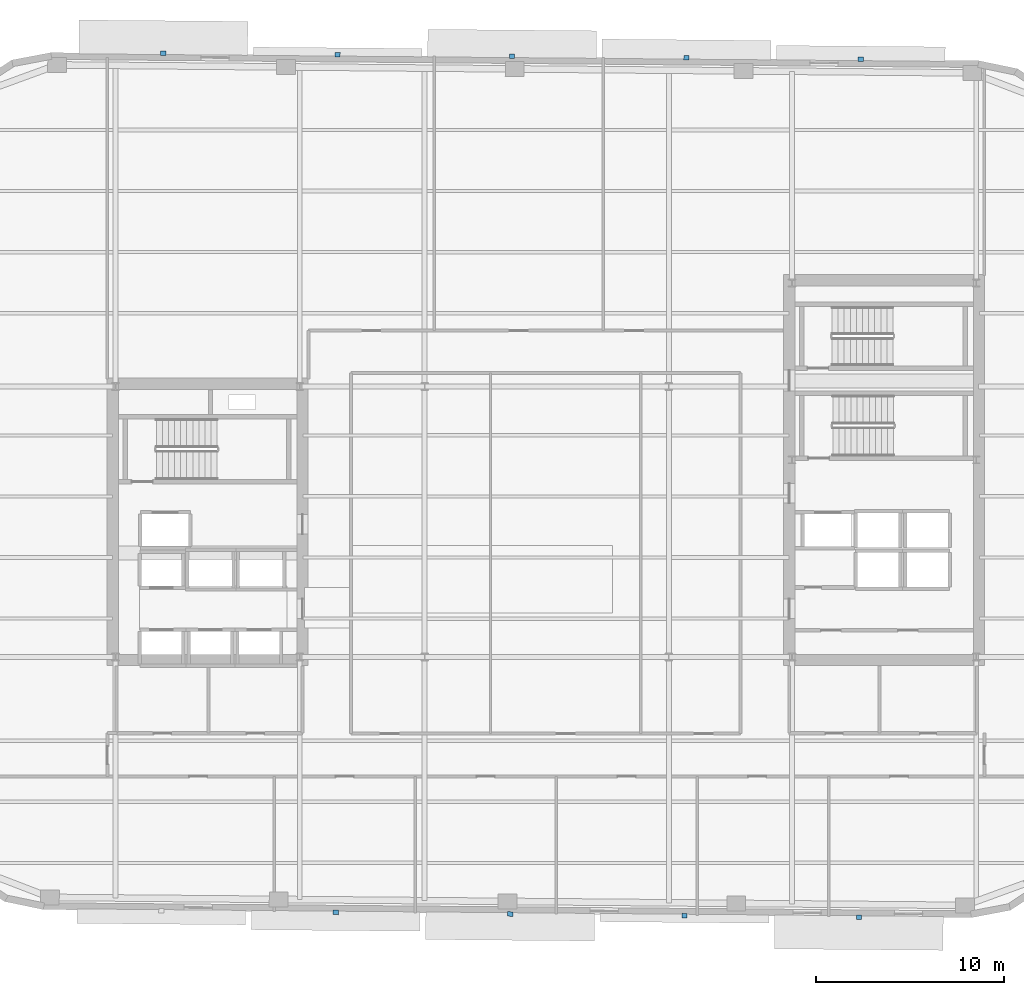
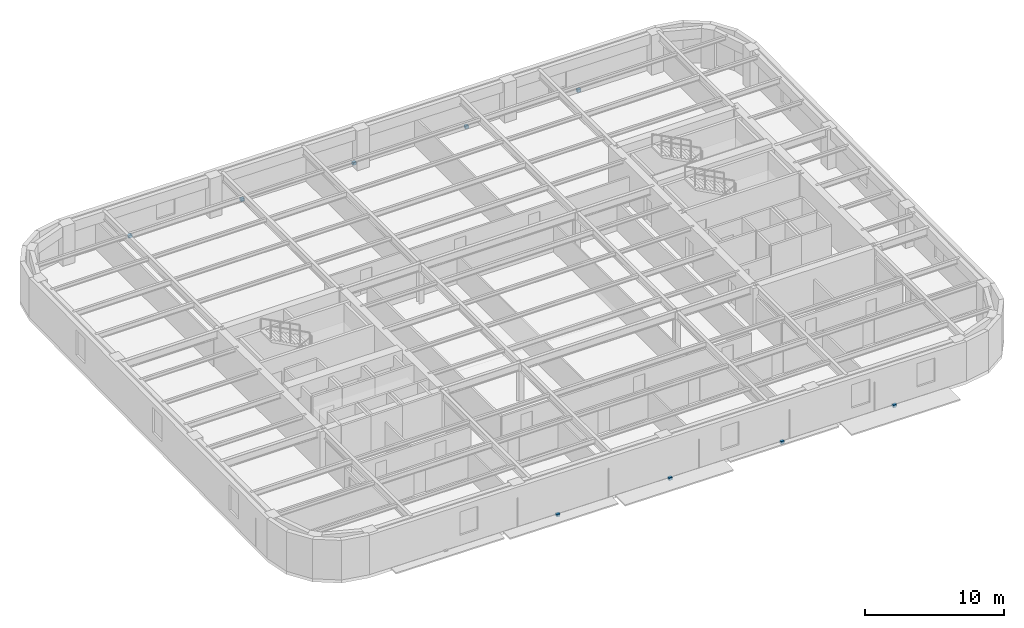
# One storey, part 7 of 11: 9 discrete accessories.
"""IFC4 building model written with IfcOpenShell, lengths in metres."""

from ifc_helpers import new_model, si_unit, direction, frame, origin, origin_2d, place, context, subcontext, project, spatial, rectangle, extrude, material, type_object, element, save


model = new_model("IFC4")

# Units and contexts
model_context = context("Model", 3, precision=1e-05, world=origin(), true_north=direction((0.0, 1.0)))
body_context = subcontext(model_context, "Body", "Model", "MODEL_VIEW")
ifc_project = project(units=[si_unit("LENGTHUNIT", "METRE"), si_unit("AREAUNIT", "SQUARE_METRE"), si_unit("VOLUMEUNIT", "CUBIC_METRE"), si_unit("PLANEANGLEUNIT", "RADIAN"), si_unit("MASSUNIT", "GRAM", prefix="KILO")], contexts=[model_context])

# Site, building, storey
site_placement = place(None, origin())
site = spatial("IfcSite", under=ifc_project, at=site_placement, CompositionType="ELEMENT")
building_placement = place(site_placement, origin())
building = spatial("IfcBuilding", under=site, at=building_placement, Name="Kolvaren Arena Tower", CompositionType="ELEMENT")
storey_placement = place(building_placement, frame((0.0, 0.0, 195.949951171875)))
storey = spatial("IfcBuildingStorey", under=building, at=storey_placement, Name="L47", CompositionType="ELEMENT", Elevation=195.949951171875)

# Discrete accessories
ifc_material = material(Name="Stainless steel facade support bracket", Category="steel")
discrete_accessory_type = type_object("IfcDiscreteAccessoryType", Name="ACC-BRKT-1", PredefinedType="BRACKET", material=ifc_material)
for number, where, z_axis, x_axis, name in (
    (1, (17.08984375, 51.58251953125, -0.18017578125), (0.0, 0.0, 1.0), (0.999961923064, -0.008726535498, 0.0), "Sunshade Support Bracket (L47)"),
    (2, (26.369384765625, 51.50146484375, -0.18017578125), (0.0, 0.0, 1.0), (0.999961923064, -0.008726535498, 0.0), "Sunshade Support Bracket (L47)"),
    (3, (35.649169921875, 51.42041015625, -0.18017578125), (0.0, 0.0, 1.0), (0.999961923064, -0.008726535498, 0.0), "Sunshade Support Bracket (L47)"),
    (4, (44.9287109375, 51.339599609375, -0.18017578125), (0.0, 0.0, 1.0), (0.999961923064, -0.008726535498, 0.0), "Sunshade Support Bracket (L47)"),
    (5, (54.20849609375, 51.258544921875, -0.18017578125), (0.0, 0.0, 1.0), (0.999961923064, -0.008726535498, 0.0), "Sunshade Support Bracket (L47)"),
    (6, (54.110107421875, 5.61767578125, -0.18017578125), (0.0, 0.0, 1.0), (-0.999961923064, 0.008726535498, 0.0), "Sunshade Support Bracket (L47)"),
    (7, (44.83056640625, 5.698486328125, -0.18017578125), (0.0, 0.0, 1.0), (-0.999961923064, 0.008726535498, 0.0), "Sunshade Support Bracket (L47)"),
    (8, (35.55078125, 5.779541015625, -0.18017578125), (0.0, 0.0, 1.0), (-0.999961923064, 0.008726535498, 0.0), "Sunshade Support Bracket (L47)"),
    (9, (26.271240234375, 5.860595703125, -0.18017578125), (0.0, 0.0, 1.0), (-0.999961923064, 0.008726535498, 0.0), "Sunshade Support Bracket (L47)"),
):
    element("IfcDiscreteAccessory", number, at=place(storey_placement, frame(where, z_axis=z_axis, x_axis=x_axis)), inside=storey, type_object=discrete_accessory_type, Name=name, PredefinedType="BRACKET", context=body_context, shape_type="SweptSolid", body=[
        extrude(rectangle(XDim=0.280029296875, YDim=0.239990234375, at=origin_2d()), origin(), (0.0, 0.0, 1.0), 0.239990234375),
    ])

save(model, "model.ifc")
